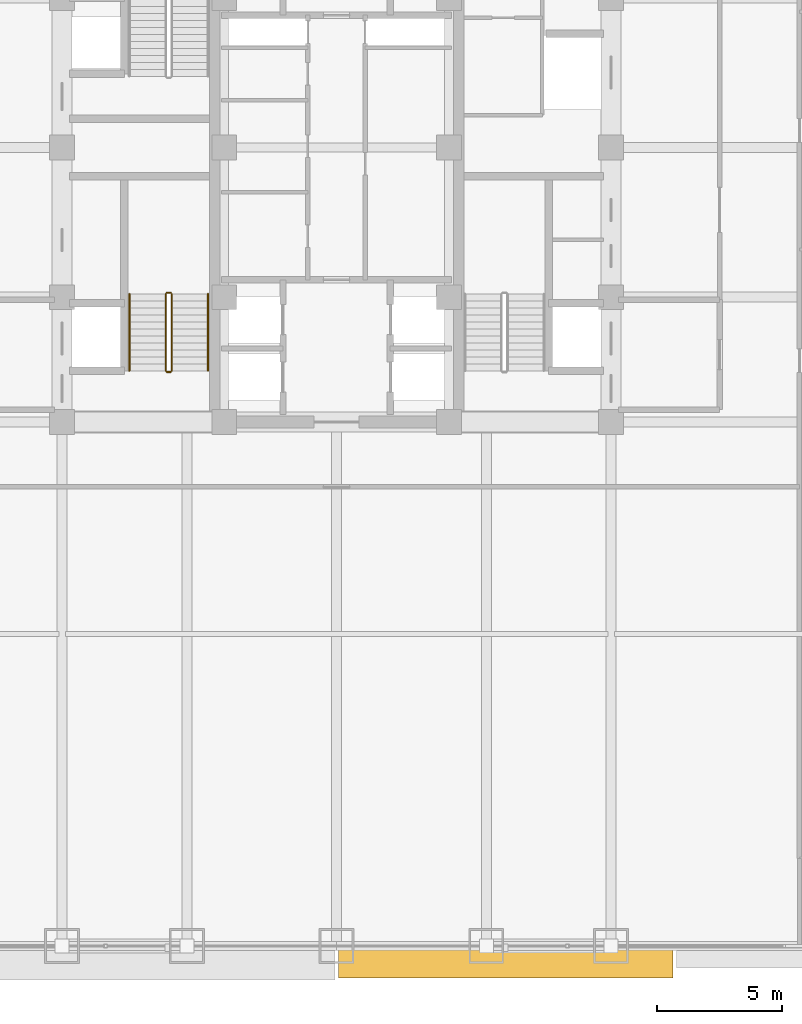
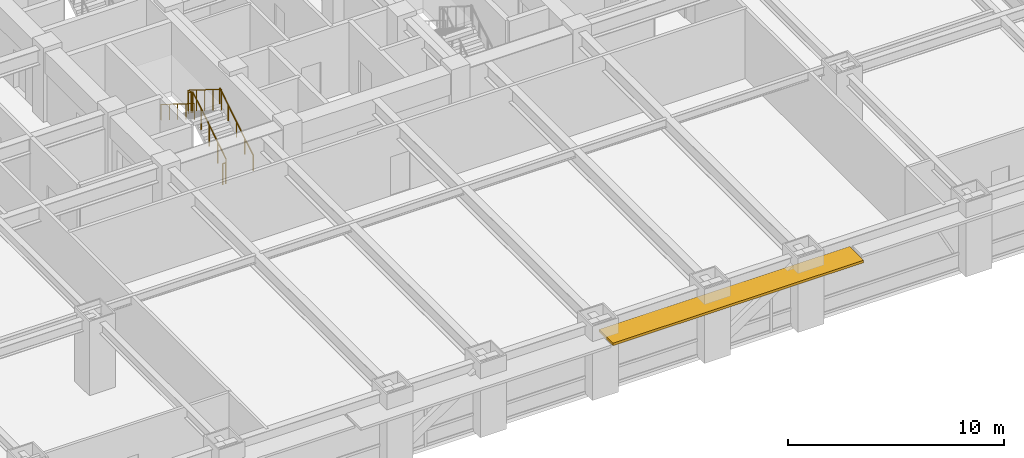
# One storey, part 28 of 31: 6 railings, 1 shading device.
"""IFC4 building model written with IfcOpenShell, lengths in metres."""

import ifcopenshell
import ifcopenshell.guid

model = None  # the IFC model being written
_history = None  # IfcOwnerHistory: only IFC2X3 demands one
_inside = {}  # id of a spatial element -> (the spatial element, [elements in it])
_under = {}  # id of a project, library or spatial element -> (it, [spatial elements below it])
_declared = {}  # id of a project -> (the project, [libraries it declares])
_typed = {}  # id of a type object -> (the type object, [elements of that type])
_made_of = {}  # id of a material, layer set ... -> (it, [elements and type objects made of it])


def new_model(schema):
    """Start an empty IFC model of exactly this schema.

    Asked for "IFC4X3", IfcOpenShell would pick the latest addendum, in which some entities
    have other attributes; the version numbers below select the first issue.
    IFC2X3 requires an IfcOwnerHistory on every rooted entity: one is made here for all.
    """
    global model, _history
    if schema == "IFC4X3":
        model = ifcopenshell.file(schema_version=(4, 3, 0, 0))
    else:
        model = ifcopenshell.file(schema=schema)
    _inside.clear()
    _under.clear()
    _declared.clear()
    _typed.clear()
    _made_of.clear()
    _history = None
    if model.schema == "IFC2X3":
        org = make("IfcOrganization", Name="unknown")
        user = make(
            "IfcPersonAndOrganization",
            ThePerson=make("IfcPerson", FamilyName="unknown"),
            TheOrganization=org,
        )
        app = make(
            "IfcApplication",
            ApplicationDeveloper=org,
            Version="unknown",
            ApplicationFullName="unknown",
            ApplicationIdentifier="unknown",
        )
        _history = make(
            "IfcOwnerHistory",
            OwningUser=user,
            OwningApplication=app,
            ChangeAction="ADDED",
            CreationDate=0,
        )
    return model


def make(cls, **values):
    """One entity of the class cls with the attributes given. An attribute that is None is left unset."""
    return model.create_entity(
        cls, **{name: value for name, value in values.items() if value is not None}
    )


def rooted(cls, **values):
    """An entity with a GlobalId (a new one), such as an element, a storey or a relation."""
    return make(cls, GlobalId=ifcopenshell.guid.new(), OwnerHistory=_history, **values)


def si_unit(unit_type, name, prefix=None):
    """IfcSIUnit, for example si_unit("LENGTHUNIT", "METRE", prefix="MILLI")."""
    return make("IfcSIUnit", UnitType=unit_type, Prefix=prefix, Name=name)


def assignment(units):
    """IfcUnitAssignment: the units of a project."""
    return None if units is None else make("IfcUnitAssignment", Units=units)


def point(xyz):
    """IfcCartesianPoint."""
    return None if xyz is None else make("IfcCartesianPoint", Coordinates=xyz)


def direction(xyz):
    """IfcDirection."""
    return None if xyz is None else make("IfcDirection", DirectionRatios=xyz)


def frame(location, z_axis=None, x_axis=None):
    """IfcAxis2Placement3D, a coordinate frame: its origin and axes. An axis left out is left unset."""
    return make(
        "IfcAxis2Placement3D",
        Location=point(location),
        Axis=direction(z_axis),
        RefDirection=direction(x_axis),
    )


def frame_2d(location, x_axis=None):
    """IfcAxis2Placement2D, a coordinate frame in the plane: its origin and x axis."""
    return make(
        "IfcAxis2Placement2D", Location=point(location), RefDirection=direction(x_axis)
    )


def origin():
    """The frame at (0, 0, 0) with its axes left unset."""
    return frame((0.0, 0.0, 0.0))


def origin_2d():
    """The frame at (0, 0) in the plane with its x axis left unset."""
    return frame_2d((0.0, 0.0))


def place(relative_to, where):
    """IfcLocalPlacement: puts the frame where relative to a parent placement (None: the world)."""
    return make(
        "IfcLocalPlacement", PlacementRelTo=relative_to, RelativePlacement=where
    )


def context(
    kind, dimensions, precision=None, world=None, true_north=None, identifier=None
):
    """IfcGeometricRepresentationContext, for example the 3D "Model" context."""
    return make(
        "IfcGeometricRepresentationContext",
        ContextIdentifier=identifier,
        ContextType=kind,
        CoordinateSpaceDimension=dimensions,
        Precision=precision,
        WorldCoordinateSystem=world,
        TrueNorth=true_north,
    )


def subcontext(parent, identifier, kind, view, scale=None):
    """IfcGeometricRepresentationSubContext, for example "Body" below "Model"."""
    return make(
        "IfcGeometricRepresentationSubContext",
        ContextIdentifier=identifier,
        ContextType=kind,
        ParentContext=parent,
        TargetScale=scale,
        TargetView=view,
    )


def project(units=None, contexts=None):
    """IfcProject with its units and contexts."""
    return rooted(
        "IfcProject",
        Name="project",
        RepresentationContexts=contexts,
        UnitsInContext=assignment(units),
    )


def spatial(cls, under=None, at=None, **own):
    """A site, building, storey or space (cls), placed at a placement, below another one or the project."""
    s = rooted(cls, ObjectPlacement=at, **own)
    if under is not None:
        _under.setdefault(under.id(), (under, []))[1].append(s)
    return s


def profile(cls, at=None, kind="AREA", **sizes):
    """A parametric profile (cls). Its sizes go by their IFC names, for example OverallWidth=200.0."""
    return make(cls, ProfileType=kind, Position=at, **sizes)


def rectangle(**sizes):
    """IfcRectangleProfileDef."""
    return profile("IfcRectangleProfileDef", **sizes)


def circle(**sizes):
    """IfcCircleProfileDef."""
    return profile("IfcCircleProfileDef", **sizes)


def extrude(swept, where, along, depth):
    """IfcExtrudedAreaSolid: the profile swept, set in the frame where, extruded along a direction by depth."""
    return make(
        "IfcExtrudedAreaSolid",
        SweptArea=swept,
        Position=where,
        ExtrudedDirection=direction(along),
        Depth=depth,
    )


def shape(context_of_items, identifier, shape_type, items):
    """IfcShapeRepresentation: the items that make up one representation, for example the "Body"."""
    return make(
        "IfcShapeRepresentation",
        ContextOfItems=context_of_items,
        RepresentationIdentifier=identifier,
        RepresentationType=shape_type,
        Items=items,
    )


def source(mapping_origin, context_of_items, identifier, shape_type, items):
    """IfcRepresentationMap: a shape defined once, which mapped items show again and again."""
    return make(
        "IfcRepresentationMap",
        MappingOrigin=mapping_origin,
        MappedRepresentation=shape(context_of_items, identifier, shape_type, items),
    )


def transform(
    local_origin,
    x_axis=None,
    y_axis=None,
    z_axis=None,
    scale=None,
    scale2=None,
    scale3=None,
    uniform=True,
):
    """IfcCartesianTransformationOperator3D, or its non-uniform kind. x_axis, y_axis, z_axis: its Axis1, 2, 3."""
    if uniform:
        return make(
            "IfcCartesianTransformationOperator3D",
            Axis1=direction(x_axis),
            Axis2=direction(y_axis),
            LocalOrigin=point(local_origin),
            Scale=scale,
            Axis3=direction(z_axis),
        )
    return make(
        "IfcCartesianTransformationOperator3DnonUniform",
        Axis1=direction(x_axis),
        Axis2=direction(y_axis),
        LocalOrigin=point(local_origin),
        Scale=scale,
        Axis3=direction(z_axis),
        Scale2=scale2,
        Scale3=scale3,
    )


def mapped(mapping_source, mapping_target):
    """IfcMappedItem: shows the shape of a source again, moved by a transform."""
    return make(
        "IfcMappedItem", MappingSource=mapping_source, MappingTarget=mapping_target
    )


def material(Name=None, Category=None):
    """IfcMaterial."""
    return make("IfcMaterial", Name=Name, Category=Category)


def layer(
    of_material, thickness, ventilated=None, Name=None, Category=None, Priority=None
):
    """IfcMaterialLayer: one layer of a wall or slab, of a material (None: an air gap)."""
    return make(
        "IfcMaterialLayer",
        Material=of_material,
        LayerThickness=thickness,
        IsVentilated=ventilated,
        Name=Name,
        Category=Category,
        Priority=Priority,
    )


def layer_set(layers, Name=None):
    """IfcMaterialLayerSet."""
    return make("IfcMaterialLayerSet", MaterialLayers=layers, LayerSetName=Name)


def made_of(thing, what):
    """Note that an element or type object is made of a material, layer set ...; save() writes the relation."""
    if what is not None:
        _made_of.setdefault(what.id(), (what, []))[1].append(thing)
    return thing


def type_object(cls, material=None, **own):
    """A type object (cls), such as IfcWallType, which elements share."""
    return made_of(rooted(cls, **own), material)


def element(
    cls,
    number,
    at=None,
    inside=None,
    cuts=None,
    type_object=None,
    material=None,
    context=None,
    identifier="Body",
    shape_type=None,
    held_by="IfcProductDefinitionShape",
    body=None,
    shapes=None,
    **own,
):
    """One element of the class cls, such as IfcWall. Its Tag is "e" and its number.

    at: its placement. inside: the storey or other place that contains it. cuts: it is an
    opening in that element (IfcRelVoidsElement). A single representation is given by context,
    identifier, shape_type and body (its items); several are given by shapes. held_by: the class
    of the entity that holds the representations. save() writes the other relations.
    """
    e = rooted(cls, Tag="e%d" % number, ObjectPlacement=at, **own)
    if body is not None:
        shapes = [shape(context, identifier, shape_type, body)]
    if shapes is not None:
        e.Representation = make(held_by, Representations=shapes)
    if inside is not None:
        _inside.setdefault(inside.id(), (inside, []))[1].append(e)
    if cuts is not None:
        rooted(
            "IfcRelVoidsElement", RelatingBuildingElement=cuts, RelatedOpeningElement=e
        )
    if type_object is not None:
        _typed.setdefault(type_object.id(), (type_object, []))[1].append(e)
    return made_of(e, material)


def aggregate(whole, parts):
    """IfcRelAggregates: a whole, such as a stair, and the parts it consists of."""
    return rooted("IfcRelAggregates", RelatingObject=whole, RelatedObjects=parts)


def save(model, path):
    """Write the relations noted so far, then the file.

    IfcRelAggregates (storeys below a building ...), IfcRelContainedInSpatialStructure (elements
    in a storey), IfcRelDefinesByType, IfcRelAssociatesMaterial and IfcRelDeclares: one each for
    every whole, place, type object, material and project.
    """
    for whole, parts in _under.values():
        aggregate(whole, parts)
    for where, things in _inside.values():
        rooted(
            "IfcRelContainedInSpatialStructure",
            RelatedElements=things,
            RelatingStructure=where,
        )
    for kind, things in _typed.values():
        rooted("IfcRelDefinesByType", RelatedObjects=things, RelatingType=kind)
    for what, things in _made_of.values():
        rooted("IfcRelAssociatesMaterial", RelatedObjects=things, RelatingMaterial=what)
    for by, libraries in _declared.values():
        rooted("IfcRelDeclares", RelatingContext=by, RelatedDefinitions=libraries)
    model.write(path)


model = new_model("IFC4")

# Units and contexts
model_context = context("Model", 3, precision=1e-05, world=origin(), true_north=direction((0.0, 1.0)))
body_context = subcontext(model_context, "Body", "Model", "MODEL_VIEW")
ifc_project = project(units=[si_unit("LENGTHUNIT", "METRE"), si_unit("AREAUNIT", "SQUARE_METRE"), si_unit("VOLUMEUNIT", "CUBIC_METRE"), si_unit("PLANEANGLEUNIT", "RADIAN"), si_unit("MASSUNIT", "GRAM", prefix="KILO")], contexts=[model_context])

# Site, building, storey
site_placement = place(None, origin())
site = spatial("IfcSite", under=ifc_project, at=site_placement, CompositionType="ELEMENT")
building_placement = place(site_placement, origin())
building = spatial("IfcBuilding", under=site, at=building_placement, Name="Khorayat Bourse Tower", CompositionType="ELEMENT")
storey_placement = place(building_placement, frame((0.0, 0.0, 41.0)))
storey = spatial("IfcBuildingStorey", under=building, at=storey_placement, Name="L08", CompositionType="ELEMENT", Elevation=41.0)

# Shading device
ifc_material_1 = material(Name="Precast concrete C45/55", Category="concrete")
ifc_layer = layer(ifc_material_1, 0.139892578125)
ifc_layer_set = layer_set([ifc_layer], Name="Precast concrete C45/55")
shading_device_type = type_object("IfcShadingDeviceType", Name="SHD-WAVE-TRAY-B", PredefinedType="USERDEFINED", material=ifc_layer_set)
shared_shape_1 = source(origin(), body_context, "Body", "SweptSolid", [
    extrude(rectangle(XDim=13.409912109375, YDim=1.295166015625, at=origin_2d()), origin(), (0.0, 0.0, 1.0), 0.139892578125),
])
shading_device_placement = place(storey_placement, frame((6.77490234375, -32.62744140625, 3.18994140625), z_axis=(0.0, 0.0, 1.0), x_axis=(1.0, 0.0, 0.0)))
element("IfcShadingDevice", 1, at=shading_device_placement, inside=storey, type_object=shading_device_type, Name="L08 Sinusoidal Wave Sunshade Tray S-3", ObjectType="SUNSHADE", PredefinedType="USERDEFINED", context=body_context, shape_type="MappedRepresentation", body=[
    mapped(shared_shape_1, transform((0.0, 0.0, 0.0), scale=1.0)),
])

# Railings
ifc_material_2 = material(Name="Powder-coated steel balustrade", Category="steel")
railing_type_1 = type_object("IfcRailingType", Name="RLG-GUARD-1200", PredefinedType="GUARDRAIL", material=ifc_material_2)
shared_shape_2 = source(origin(), body_context, "Body", "SweptSolid", [
    extrude(circle(Radius=0.02392578125, at=origin_2d()), frame((0.0, 0.0, 1.17578125), z_axis=(-1.0, 0.0, 0.0), x_axis=(0.0, -1.0, 0.0)), (0.0, 0.0, 1.0), 0.150146484375),
    extrude(circle(Radius=0.02099609375, at=origin_2d()), origin(), (0.0, 0.0, 1.0), 1.15185546875),
    extrude(circle(Radius=0.02099609375, at=origin_2d()), frame((-0.150146484375, 0.0, 0.0)), (0.0, 0.0, 1.0), 1.15185546875),
])
for number, where, name in (
    (2, (-6.64990234375, -5.820068359375, 2.10009765625), "L08 ST-1 stair guard 2"),
    (3, (-6.64990234375, -9.0, 0.0), "L08 ST-1 stair guard 4"),
):
    element("IfcRailing", number, at=place(storey_placement, frame(where)), inside=storey, type_object=railing_type_1, Name=name, PredefinedType="GUARDRAIL", context=body_context, shape_type="MappedRepresentation", body=[
        mapped(shared_shape_2, transform((0.0, 0.0, 0.0), scale=1.0)),
    ])
shared_shape_3 = source(origin(), body_context, "Body", "SweptSolid", [
    extrude(circle(Radius=0.02392578125, at=origin_2d()), frame((0.0, 0.0, 1.17578125), z_axis=(0.0, 0.847979421464, 0.530029150871), x_axis=(-1.0, 0.0, 0.0)), (0.0, 0.0, 1.0), 3.632080078125),
    extrude(circle(Radius=0.02099609375, at=origin_2d()), origin(), (0.0, 0.0, 1.0), 1.15185546875),
    extrude(circle(Radius=0.02099609375, at=origin_2d()), frame((0.0, 0.77001953125, 0.481201171875)), (0.0, 0.0, 1.0), 1.15185546875),
    extrude(circle(Radius=0.02099609375, at=origin_2d()), frame((0.0, 1.5400390625, 0.96240234375)), (0.0, 0.0, 1.0), 1.15185546875),
    extrude(circle(Radius=0.02099609375, at=origin_2d()), frame((0.0, 2.309814453125, 1.44384765625)), (0.0, 0.0, 1.0), 1.15185546875),
    extrude(circle(Radius=0.02099609375, at=origin_2d()), frame((0.0, 3.079833984375, 1.925048828125)), (0.0, 0.0, 1.0), 1.15185546875),
])
railing_1_placement = place(storey_placement, frame((-6.60009765625, -8.949951171875, 0.175048828125)))
element("IfcRailing", 4, at=railing_1_placement, inside=storey, type_object=railing_type_1, Name="L08 ST-1 stair guard 1", PredefinedType="GUARDRAIL", context=body_context, shape_type="MappedRepresentation", body=[
    mapped(shared_shape_3, transform((0.0, 0.0, 0.0), scale=1.0)),
])
shared_shape_4 = source(origin(), body_context, "Body", "SweptSolid", [
    extrude(circle(Radius=0.02392578125, at=origin_2d()), frame((0.0, 0.0, 1.17578125), z_axis=(0.0, -0.847979421464, 0.530029150871), x_axis=(1.0, 0.0, 0.0)), (0.0, 0.0, 1.0), 3.632080078125),
    extrude(circle(Radius=0.02099609375, at=origin_2d()), origin(), (0.0, 0.0, 1.0), 1.15185546875),
    extrude(circle(Radius=0.02099609375, at=origin_2d()), frame((0.0, -0.77001953125, 0.481201171875)), (0.0, 0.0, 1.0), 1.15185546875),
    extrude(circle(Radius=0.02099609375, at=origin_2d()), frame((0.0, -1.5400390625, 0.96240234375)), (0.0, 0.0, 1.0), 1.15185546875),
    extrude(circle(Radius=0.02099609375, at=origin_2d()), frame((0.0, -2.309814453125, 1.44384765625)), (0.0, 0.0, 1.0), 1.15185546875),
    extrude(circle(Radius=0.02099609375, at=origin_2d()), frame((0.0, -3.079833984375, 1.925048828125)), (0.0, 0.0, 1.0), 1.15185546875),
])
railing_2_placement = place(storey_placement, frame((-6.85009765625, -5.8701171875, 2.27490234375)))
element("IfcRailing", 5, at=railing_2_placement, inside=storey, type_object=railing_type_1, Name="L08 ST-1 stair guard 3", PredefinedType="GUARDRAIL", context=body_context, shape_type="MappedRepresentation", body=[
    mapped(shared_shape_4, transform((0.0, 0.0, 0.0), scale=1.0)),
])
ifc_material_3 = material(Name="Brushed bronze stainless-steel handrail", Category="steel")
railing_type_2 = type_object("IfcRailingType", Name="RLG-HAND-900", PredefinedType="HANDRAIL", material=ifc_material_3)
shared_shape_5 = source(origin(), body_context, "Body", "SweptSolid", [
    extrude(circle(Radius=0.02392578125, at=origin_2d()), frame((0.0, 0.0, 0.8759765625), z_axis=(0.0, 0.847979421464, 0.530029150871), x_axis=(-1.0, 0.0, 0.0)), (0.0, 0.0, 1.0), 3.632080078125),
    extrude(circle(Radius=0.02099609375, at=origin_2d()), origin(), (0.0, 0.0, 1.0), 0.851806640625),
    extrude(circle(Radius=0.02099609375, at=origin_2d()), frame((0.0, 0.77001953125, 0.481201171875)), (0.0, 0.0, 1.0), 0.851806640625),
    extrude(circle(Radius=0.02099609375, at=origin_2d()), frame((0.0, 1.5400390625, 0.96240234375)), (0.0, 0.0, 1.0), 0.851806640625),
    extrude(circle(Radius=0.02099609375, at=origin_2d()), frame((0.0, 2.309814453125, 1.44384765625)), (0.0, 0.0, 1.0), 0.851806640625),
    extrude(circle(Radius=0.02099609375, at=origin_2d()), frame((0.0, 3.079833984375, 1.925048828125)), (0.0, 0.0, 1.0), 0.851806640625),
])
railing_3_placement = place(storey_placement, frame((-5.14990234375, -8.949951171875, 0.175048828125)))
element("IfcRailing", 6, at=railing_3_placement, inside=storey, type_object=railing_type_2, Name="L08 ST-1 stair handrail 1", PredefinedType="HANDRAIL", context=body_context, shape_type="MappedRepresentation", body=[
    mapped(shared_shape_5, transform((0.0, 0.0, 0.0), scale=1.0)),
])
shared_shape_6 = source(origin(), body_context, "Body", "SweptSolid", [
    extrude(circle(Radius=0.02392578125, at=origin_2d()), frame((0.0, 0.0, 0.8759765625), z_axis=(0.0, -0.847979421464, 0.530029150871), x_axis=(1.0, 0.0, 0.0)), (0.0, 0.0, 1.0), 3.632080078125),
    extrude(circle(Radius=0.02099609375, at=origin_2d()), origin(), (0.0, 0.0, 1.0), 0.851806640625),
    extrude(circle(Radius=0.02099609375, at=origin_2d()), frame((0.0, -0.77001953125, 0.481201171875)), (0.0, 0.0, 1.0), 0.851806640625),
    extrude(circle(Radius=0.02099609375, at=origin_2d()), frame((0.0, -1.5400390625, 0.96240234375)), (0.0, 0.0, 1.0), 0.851806640625),
    extrude(circle(Radius=0.02099609375, at=origin_2d()), frame((0.0, -2.309814453125, 1.44384765625)), (0.0, 0.0, 1.0), 0.851806640625),
    extrude(circle(Radius=0.02099609375, at=origin_2d()), frame((0.0, -3.079833984375, 1.925048828125)), (0.0, 0.0, 1.0), 0.851806640625),
])
railing_4_placement = place(storey_placement, frame((-8.300048828125, -5.8701171875, 2.27490234375)))
element("IfcRailing", 7, at=railing_4_placement, inside=storey, type_object=railing_type_2, Name="L08 ST-1 stair handrail 2", PredefinedType="HANDRAIL", context=body_context, shape_type="MappedRepresentation", body=[
    mapped(shared_shape_6, transform((0.0, 0.0, 0.0), scale=1.0)),
])

save(model, "model.ifc")
